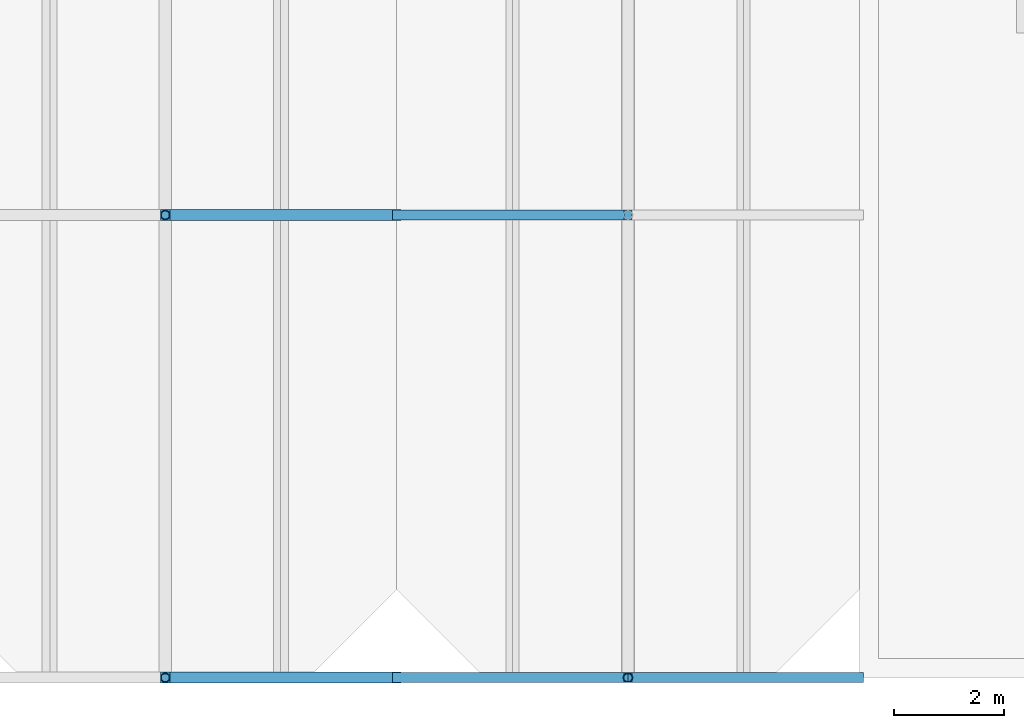
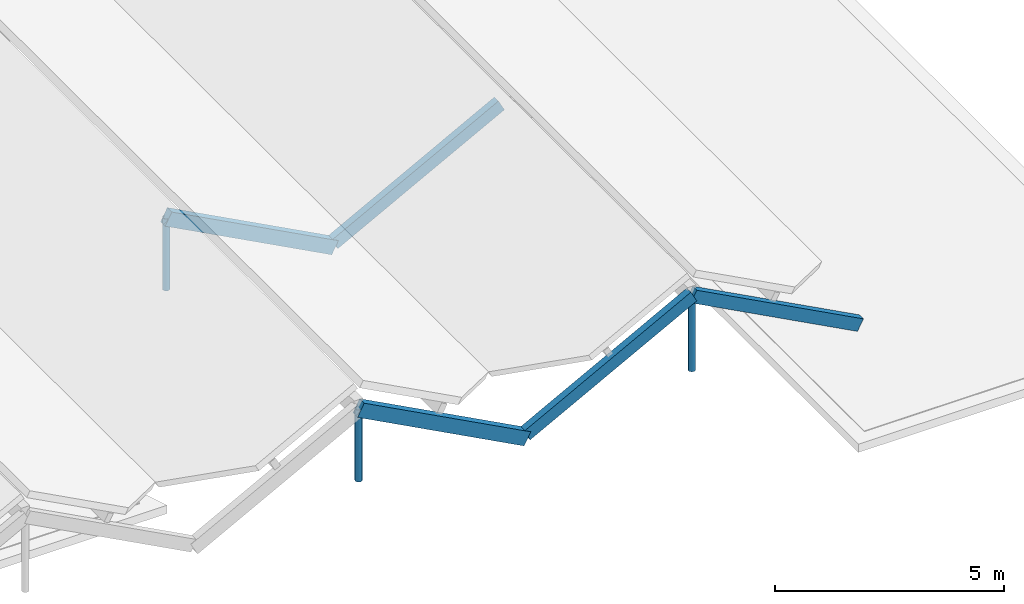
# One storey, part 28 of 82: 8 members.
"""IFC4 building model written with IfcOpenShell, lengths in metres."""

from ifc_helpers import new_model, si_unit, direction, frame, origin, origin_2d, place, context, subcontext, project, spatial, rectangle, hollow_circle, extrude, material, material_profile, profile_set, type_object, element, save


model = new_model("IFC4")

# Units and contexts
model_context = context("Model", 3, precision=1e-05, world=origin(), true_north=direction((0.0, 1.0)))
body_context = subcontext(model_context, "Body", "Model", "MODEL_VIEW")
ifc_project = project(units=[si_unit("LENGTHUNIT", "METRE"), si_unit("AREAUNIT", "SQUARE_METRE"), si_unit("VOLUMEUNIT", "CUBIC_METRE"), si_unit("PLANEANGLEUNIT", "RADIAN"), si_unit("MASSUNIT", "GRAM", prefix="KILO")], contexts=[model_context])

# Site, building, storey
site_placement = place(None, origin())
site = spatial("IfcSite", under=ifc_project, at=site_placement, CompositionType="ELEMENT")
building_placement = place(site_placement, origin())
building = spatial("IfcBuilding", under=site, at=building_placement, Name="Bramfleet General Hospital", CompositionType="ELEMENT")
storey_placement = place(building_placement, frame((0.0, 0.0, 34.199951171875)))
storey = spatial("IfcBuildingStorey", under=building, at=storey_placement, Name="Roof", CompositionType="ELEMENT", Elevation=34.199951171875)

# Members
ifc_material_1 = material(Name="Structural timber GL28h", Category="wood")
ifc_material_profile_1 = material_profile(ifc_material_1, rectangle(XDim=0.179931640625, YDim=0.320068359375, at=origin_2d()), Name="GL28h 320x180")
ifc_profile_set_1 = profile_set([ifc_material_profile_1], Name="Structural timber GL28h")
member_type_1 = type_object("IfcMemberType", Name="MEM-RF-GL320", PredefinedType="RAFTER", material=ifc_profile_set_1)
for number, where, z_axis, x_axis, name in (
    (1, (126.0, 0.0, -0.671875), (0.882947536541, 0.0, 0.469471668705), (0.0, 1.0, 0.0), "Patient House PH-08 West Glulam Rafter 0"),
    (2, (130.199951171875, 0.0, 1.561279296875), (0.882947536541, 0.0, -0.469471668705), (0.0, 1.0, 0.0), "Patient House PH-08 East Glulam Rafter 0"),
    (3, (126.0, 8.39990234375, -0.671875), (0.882947536541, 0.0, 0.469471668705), (0.0, 1.0, 0.0), "Patient House PH-08 West Glulam Rafter 1"),
):
    element("IfcMember", number, at=place(storey_placement, frame(where, z_axis=z_axis, x_axis=x_axis)), inside=storey, type_object=member_type_1, Name=name, PredefinedType="RAFTER", context=body_context, shape_type="SweptSolid", body=[
        extrude(rectangle(XDim=0.179931640625, YDim=0.320068359375, at=origin_2d()), origin(), (0.0, 0.0, 1.0), 4.7568359375),
    ])
ifc_material_profile_2 = material_profile(ifc_material_1, rectangle(XDim=0.199951171875, YDim=0.360107421875, at=origin_2d()), Name="GL28h 360x200")
ifc_profile_set_2 = profile_set([ifc_material_profile_2], Name="Structural timber GL28h")
member_type_2 = type_object("IfcMemberType", Name="MEM-RF-GL360", PredefinedType="RAFTER", material=ifc_profile_set_2)
for number, where, z_axis, x_axis, name in (
    (4, (121.800048828125, 0.0, 1.476806640625), (0.882947536541, 0.0, -0.469471668705), (0.0, 1.0, 0.0), "Patient House PH-07 East Glulam Rafter 0"),
    (5, (121.800048828125, 8.39990234375, 1.476806640625), (0.882947536541, 0.0, -0.469471668705), (0.0, 1.0, 0.0), "Patient House PH-07 East Glulam Rafter 1"),
):
    element("IfcMember", number, at=place(storey_placement, frame(where, z_axis=z_axis, x_axis=x_axis)), inside=storey, type_object=member_type_2, Name=name, PredefinedType="RAFTER", context=body_context, shape_type="SweptSolid", body=[
        extrude(rectangle(XDim=0.199951171875, YDim=0.360107421875, at=origin_2d()), origin(), (0.0, 0.0, 1.0), 4.7568359375),
    ])
ifc_material_2 = material(Name="Steel S355", Category="steel")
ifc_material_profile_3 = material_profile(ifc_material_2, hollow_circle(Radius=0.084228515625, WallThickness=0.008056640625, at=origin_2d()), Name="CHS 168.3x8.0")
ifc_profile_set_3 = profile_set([ifc_material_profile_3], Name="Steel S355")
member_type_3 = type_object("IfcMemberType", Name="MEM-SF-DG1", PredefinedType="STRUT", material=ifc_profile_set_3)
for number, where, z_axis, x_axis, name in (
    (6, (121.800048828125, 0.0, -0.43994140625), (0.0, 0.0, 1.0), (1.0, 0.0, 0.0), "Patient House PH-07 Ridge Timber Post 0"),
    (7, (121.800048828125, 8.39990234375, -0.43994140625), (0.0, 0.0, 1.0), (1.0, 0.0, 0.0), "Patient House PH-07 Ridge Timber Post 1"),
):
    element("IfcMember", number, at=place(storey_placement, frame(where, z_axis=z_axis, x_axis=x_axis)), inside=storey, type_object=member_type_3, Name=name, PredefinedType="STRUT", context=body_context, shape_type="SweptSolid", body=[
        extrude(hollow_circle(Radius=0.084228515625, WallThickness=0.008056640625, at=origin_2d()), origin(), (0.0, 0.0, 1.0), 1.916748046875),
    ])
member_placement = place(storey_placement, frame((130.199951171875, 0.0, -0.43994140625), z_axis=(0.0, 0.0, 1.0), x_axis=(1.0, 0.0, 0.0)))
element("IfcMember", 8, at=member_placement, inside=storey, type_object=member_type_3, Name="Patient House PH-08 Ridge Timber Post 0", PredefinedType="STRUT", context=body_context, shape_type="SweptSolid", body=[
    extrude(hollow_circle(Radius=0.084228515625, WallThickness=0.008056640625, at=origin_2d()), origin(), (0.0, 0.0, 1.0), 2.001220703125),
])

save(model, "model.ifc")
